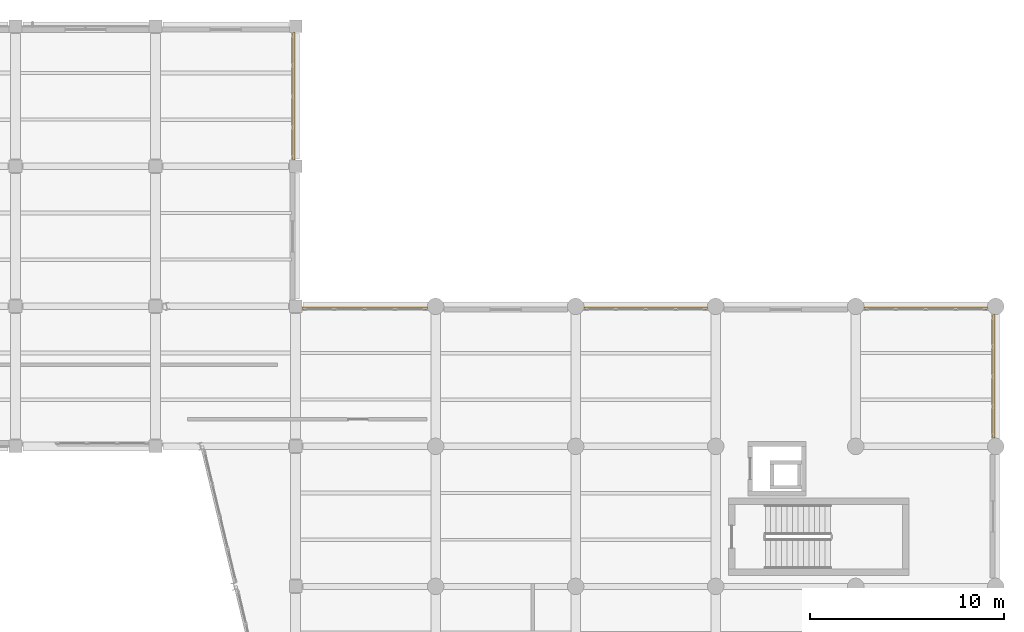
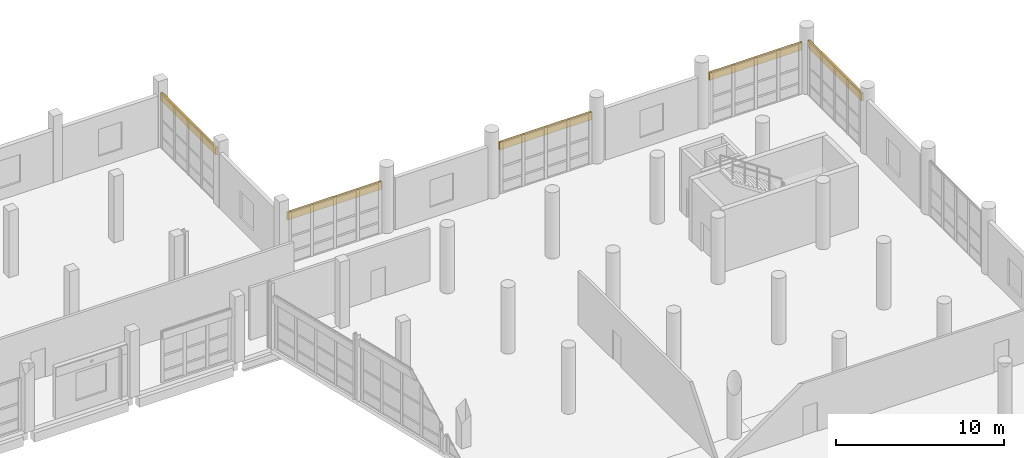
# One storey, part 127 of 127: 5 shading devices.
"""IFC4 building model written with IfcOpenShell, lengths in metres."""

from ifc_helpers import new_model, si_unit, direction, frame, origin, origin_2d, place, context, subcontext, project, spatial, rectangle, extrude, material, layer, layer_set, type_object, element, save


model = new_model("IFC4")

# Units and contexts
model_context = context("Model", 3, precision=1e-05, world=origin(), true_north=direction((0.0, 1.0)))
body_context = subcontext(model_context, "Body", "Model", "MODEL_VIEW")
ifc_project = project(units=[si_unit("LENGTHUNIT", "METRE"), si_unit("AREAUNIT", "SQUARE_METRE"), si_unit("VOLUMEUNIT", "CUBIC_METRE"), si_unit("PLANEANGLEUNIT", "RADIAN"), si_unit("MASSUNIT", "GRAM", prefix="KILO")], contexts=[model_context])

# Site, building, storey
site_placement = place(None, origin())
site = spatial("IfcSite", under=ifc_project, at=site_placement, CompositionType="ELEMENT")
building_placement = place(site_placement, origin())
building = spatial("IfcBuilding", under=site, at=building_placement, Name="Kalmorath City Hall", CompositionType="ELEMENT")
storey_placement = place(building_placement, frame((0.0, 0.0, 5.39990234375)))
storey = spatial("IfcBuildingStorey", under=building, at=storey_placement, Name="L01", CompositionType="ELEMENT", Elevation=5.39990234375)

# Shading devices
ifc_material = material(Name="Bronze anodised storm louvre")
ifc_layer = layer(ifc_material, 0.139892578125)
ifc_layer_set = layer_set([ifc_layer], Name="Bronze anodised storm louvre")
shading_device_type = type_object("IfcShadingDeviceType", Name="Hurricane bronze storm louvre bank", PredefinedType="JALOUSIE", material=ifc_layer_set)
shading_device_1_placement = place(storey_placement, frame((129.5, 111.60009765625, 3.40087890625), z_axis=(0.0, 0.0, 1.0), x_axis=(0.0, -1.0, 0.0)))
element("IfcShadingDevice", 1, at=shading_device_1_placement, inside=storey, type_object=shading_device_type, Name="L01 library storm louvre #139", PredefinedType="JALOUSIE", context=body_context, shape_type="SweptSolid", body=[
    extrude(rectangle(XDim=6.548095703125, YDim=0.139892578125, at=origin_2d()), origin(), (0.0, 0.0, 1.0), 0.550048828125),
])
shading_device_2_placement = place(storey_placement, frame((133.14990234375, 100.699951171875, 3.17626953125), z_axis=(0.0, 0.0, 1.0), x_axis=(1.0, 0.0, 0.0)))
element("IfcShadingDevice", 2, at=shading_device_2_placement, inside=storey, type_object=shading_device_type, Name="L01 library storm louvre #140", PredefinedType="JALOUSIE", context=body_context, shape_type="SweptSolid", body=[
    extrude(rectangle(XDim=6.447998046875, YDim=0.139892578125, at=origin_2d()), origin(), (0.0, 0.0, 1.0), 0.550048828125),
])
for number, where, z_axis, x_axis, name in (
    (3, (147.60009765625, 100.699951171875, 3.17626953125), (0.0, 0.0, 1.0), (1.0, 0.0, 0.0), "L01 library storm louvre #141"),
    (4, (162.0, 100.699951171875, 3.17626953125), (0.0, 0.0, 1.0), (1.0, 0.0, 0.0), "L01 library storm louvre #142"),
    (5, (165.5, 97.199951171875, 3.40087890625), (0.0, 0.0, 1.0), (0.0, -1.0, 0.0), "L01 library storm louvre #143"),
):
    element("IfcShadingDevice", number, at=place(storey_placement, frame(where, z_axis=z_axis, x_axis=x_axis)), inside=storey, type_object=shading_device_type, Name=name, PredefinedType="JALOUSIE", context=body_context, shape_type="SweptSolid", body=[
        extrude(rectangle(XDim=6.347900390625, YDim=0.139892578125, at=origin_2d()), origin(), (0.0, 0.0, 1.0), 0.550048828125),
    ])

save(model, "model.ifc")
